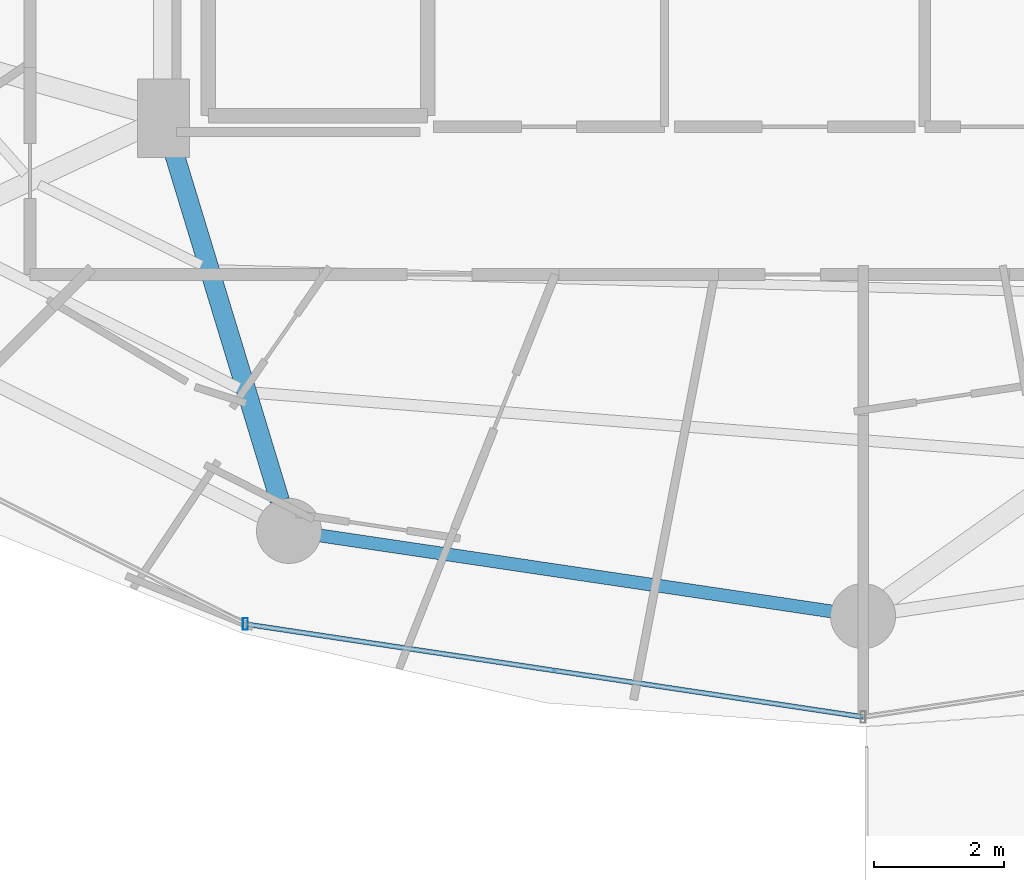
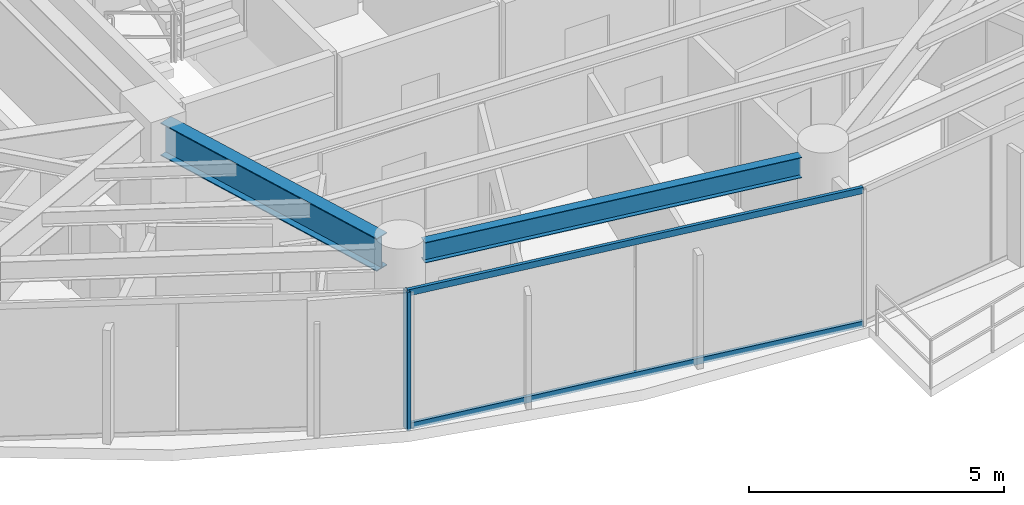
# One storey, part 5 of 31: 3 members, 2 beams, 1 element without a shape of its own.
"""IFC4 building model written with IfcOpenShell, lengths in metres."""

from ifc_helpers import new_model, si_unit, direction, frame, origin, origin_2d, place, context, subcontext, project, spatial, hollow_rectangle, i_section, extrude, material, material_profile, profile_set, type_object, element, aggregate, save


model = new_model("IFC4")

# Units and contexts
model_context = context("Model", 3, precision=1e-05, world=origin(), true_north=direction((0.0, 1.0)))
body_context = subcontext(model_context, "Body", "Model", "MODEL_VIEW")
ifc_project = project(units=[si_unit("LENGTHUNIT", "METRE"), si_unit("AREAUNIT", "SQUARE_METRE"), si_unit("VOLUMEUNIT", "CUBIC_METRE"), si_unit("PLANEANGLEUNIT", "RADIAN"), si_unit("MASSUNIT", "GRAM", prefix="KILO")], contexts=[model_context])

# Site, building, storey
site_placement = place(None, origin())
site = spatial("IfcSite", under=ifc_project, at=site_placement, CompositionType="ELEMENT")
building_placement = place(site_placement, origin())
building = spatial("IfcBuilding", under=site, at=building_placement, Name="Vorneva Point Tower", CompositionType="ELEMENT")
storey_placement = place(building_placement, frame((0.0, 0.0, 132.60009765625)))
storey = spatial("IfcBuildingStorey", under=building, at=storey_placement, Name="L35", CompositionType="ELEMENT", Elevation=132.60009765625)

# Beams
ifc_material_1 = material(Name="Steel S355", Category="steel")
ifc_material_profile_1 = material_profile(ifc_material_1, i_section(OverallWidth=0.300048828125, OverallDepth=0.7880859375, WebThickness=0.014404296875, FlangeThickness=0.02197265625, at=origin_2d()), Name="80Sh1")
ifc_profile_set_1 = profile_set([ifc_material_profile_1], Name="Steel S355")
beam_type_1 = type_object("IfcBeamType", Name="BM-GRD-80Sh1", PredefinedType="USERDEFINED", material=ifc_profile_set_1)
beam_1_placement = place(storey_placement, frame((29.037109375, 10.576171875, 2.845947265625), z_axis=(-0.291049382966, 0.95670803105, 0.0), x_axis=(-0.95670803105, -0.291049382966, 0.0)))
element("IfcBeam", 1, at=beam_1_placement, inside=storey, type_object=beam_type_1, Name="L35 Radial Primary Girder 12", ObjectType="GIRDER", PredefinedType="USERDEFINED", context=body_context, shape_type="SweptSolid", body=[
    extrude(i_section(OverallWidth=0.300048828125, OverallDepth=0.7880859375, WebThickness=0.014404296875, FlangeThickness=0.02197265625, at=origin_2d()), origin(), (0.0, 0.0, 1.0), 5.799560546875),
])
ifc_material_profile_2 = material_profile(ifc_material_1, i_section(OverallWidth=0.199951171875, OverallDepth=0.491943359375, WebThickness=0.0087890625, FlangeThickness=0.011962890625, at=origin_2d()), Name="50B1")
ifc_profile_set_2 = profile_set([ifc_material_profile_2], Name="Steel S355")
beam_type_2 = type_object("IfcBeamType", Name="BM-SPN-50B1", PredefinedType="SPANDREL", material=ifc_profile_set_2)
beam_2_placement = place(storey_placement, frame((29.65869140625, 10.0380859375, 2.993896484375), z_axis=(0.989161199046, -0.146833655211, 0.0), x_axis=(0.146833655211, 0.989161199046, 0.0)))
element("IfcBeam", 2, at=beam_2_placement, inside=storey, type_object=beam_type_2, Name="L35 Perimeter Spandrel Ring Beam 12", PredefinedType="SPANDREL", context=body_context, shape_type="SweptSolid", body=[
    extrude(i_section(OverallWidth=0.199951171875, OverallDepth=0.491943359375, WebThickness=0.0087890625, FlangeThickness=0.011962890625, at=origin_2d()), origin(), (0.0, 0.0, 1.0), 7.94775390625),
])

# Curtain wall, members
ifc_material_2 = material(Name="Pale anodised aluminium", Category="aluminium")
curtain_wall_type = type_object("IfcCurtainWallType", Name="CW-RES-SYS", PredefinedType="NOTDEFINED", material=ifc_material_2)
curtain_wall_placement = place(storey_placement, origin())
curtain_wall = element("IfcCurtainWall", 3, at=curtain_wall_placement, inside=storey, type_object=curtain_wall_type, Name="L35 Unitised Curtain Wall CW-L35-R04", PredefinedType="NOTDEFINED")
ifc_material_profile_3 = material_profile(ifc_material_2, hollow_rectangle(XDim=0.074951171875, YDim=0.179931640625, WallThickness=0.00390625, at=origin_2d()), Name="AL-MUL 180x75x4")
ifc_profile_set_3 = profile_set([ifc_material_profile_3], Name="Pale anodised aluminium")
member_type_1 = type_object("IfcMemberType", Name="CW-MUL-180", PredefinedType="MULLION", material=ifc_profile_set_3)
member_1_placement = place(storey_placement, frame((28.509521484375, 8.67724609375, -0.0400390625), z_axis=(0.0, 0.0, 1.0), x_axis=(1.0, 0.0, 0.0)))
member_1 = element("IfcMember", 4, at=member_1_placement, type_object=member_type_1, Name="CW-L35-R04 Mullion 02", PredefinedType="MULLION", context=body_context, shape_type="SweptSolid", body=[
    extrude(hollow_rectangle(XDim=0.074951171875, YDim=0.179931640625, WallThickness=0.00390625, at=origin_2d()), origin(), (0.0, 0.0, 1.0), 3.31005859375),
])
ifc_material_profile_4 = material_profile(ifc_material_2, hollow_rectangle(XDim=0.074951171875, YDim=0.14990234375, WallThickness=0.00390625, at=origin_2d()), Name="AL-TRN 150x75x4")
ifc_profile_set_4 = profile_set([ifc_material_profile_4], Name="Pale anodised aluminium")
member_type_2 = type_object("IfcMemberType", Name="CW-TRN-150", PredefinedType="USERDEFINED", material=ifc_profile_set_4)
member_2_placement = place(storey_placement, frame((28.509521484375, 8.67724609375, 0.02001953125), z_axis=(0.988880117727, -0.148714870687, 0.0), x_axis=(0.148714870687, 0.988880117727, 0.0)))
member_2 = element("IfcMember", 5, at=member_2_placement, type_object=member_type_2, Name="CW-L35-R04 Transom 02.1", ObjectType="TRANSOM", PredefinedType="USERDEFINED", context=body_context, shape_type="SweptSolid", body=[
    extrude(hollow_rectangle(XDim=0.074951171875, YDim=0.14990234375, WallThickness=0.00390625, at=origin_2d()), origin(), (0.0, 0.0, 1.0), 9.59716796875),
])
member_3_placement = place(storey_placement, frame((28.509521484375, 8.67724609375, 3.219970703125), z_axis=(0.988880117727, -0.148714870687, 0.0), x_axis=(0.148714870687, 0.988880117727, 0.0)))
member_3 = element("IfcMember", 6, at=member_3_placement, type_object=member_type_2, Name="CW-L35-R04 Transom 02.2", ObjectType="TRANSOM", PredefinedType="USERDEFINED", context=body_context, shape_type="SweptSolid", body=[
    extrude(hollow_rectangle(XDim=0.074951171875, YDim=0.14990234375, WallThickness=0.00390625, at=origin_2d()), origin(), (0.0, 0.0, 1.0), 9.59716796875),
])
aggregate(curtain_wall, [member_1, member_2, member_3])

save(model, "model.ifc")
